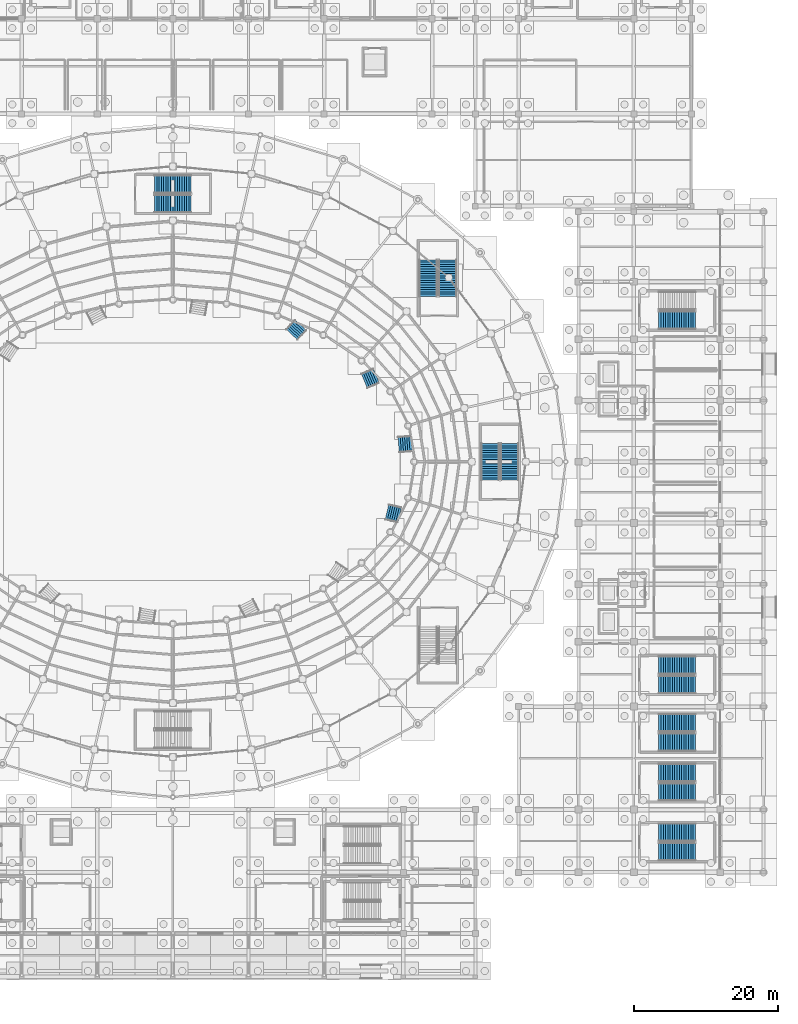
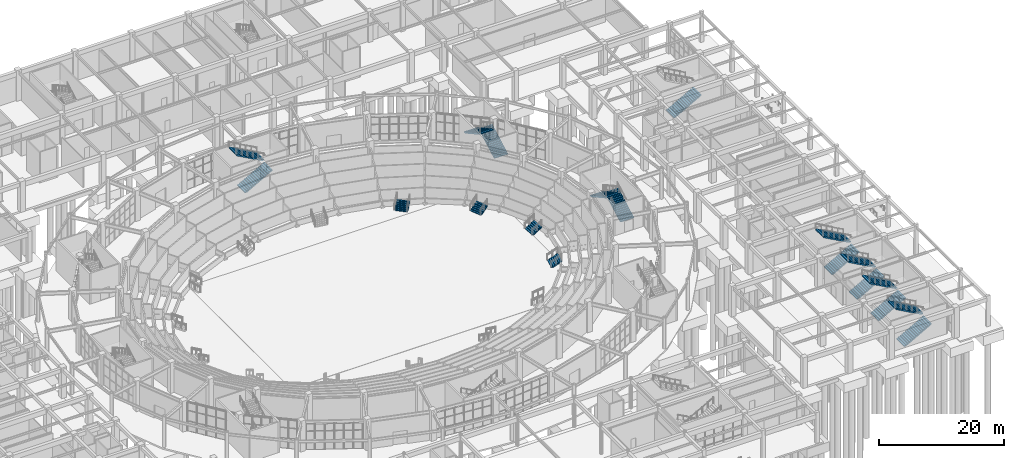
# One storey, part 98 of 121: 19 stair flights, 12 elements without a shape of their own.
"""IFC4 building model written with IfcOpenShell, lengths in metres."""

from ifc_helpers import new_model, si_unit, direction, frame, origin, place, context, subcontext, project, spatial, polyline, outline, extrude, material, type_object, element, aggregate, save


model = new_model("IFC4")

# Units and contexts
model_context = context("Model", 3, precision=1e-05, world=origin(), true_north=direction((0.0, 1.0)))
body_context = subcontext(model_context, "Body", "Model", "MODEL_VIEW")
ifc_project = project(units=[si_unit("LENGTHUNIT", "METRE"), si_unit("AREAUNIT", "SQUARE_METRE"), si_unit("VOLUMEUNIT", "CUBIC_METRE"), si_unit("PLANEANGLEUNIT", "RADIAN"), si_unit("MASSUNIT", "GRAM", prefix="KILO")], contexts=[model_context])

# Site, building, storey
site_placement = place(None, origin())
site = spatial("IfcSite", under=ifc_project, at=site_placement, CompositionType="ELEMENT")
building_placement = place(site_placement, origin())
building = spatial("IfcBuilding", under=site, at=building_placement, Name="Cuetzalor Civic Arena", CompositionType="ELEMENT")
storey_placement = place(building_placement, origin())
storey = spatial("IfcBuildingStorey", under=building, at=storey_placement, Name="L00", CompositionType="ELEMENT", Elevation=0.0)

# Stair, stair flights
ifc_material_1 = material(Name="Precast concrete C40/50", Category="concrete")
stair_type_1 = type_object("IfcStairType", Name="EnclosedExitStair_H600", PredefinedType="HALF_TURN_STAIR", material=ifc_material_1)
stair_1_placement = place(storey_placement, origin())
stair_1 = element("IfcStair", 1, at=stair_1_placement, inside=storey, type_object=stair_type_1, Name="L00 Enclosed Exit Stair ST-01", PredefinedType="HALF_TURN_STAIR")
ifc_material_2 = material(Name="Precast concrete C40/50", Category="concrete")
stair_flight_type_1 = type_object("IfcStairFlightType", Name="ExitStairFlight_H600", PredefinedType="STRAIGHT", material=ifc_material_2)
stair_flight_1_placement = place(storey_placement, frame((46.75, -2.550048828125, 0.0), z_axis=(0.0, 0.0, 1.0), x_axis=(0.0, 1.0, 0.0)))
stair_flight_1 = element("IfcStairFlight", 2, at=stair_flight_1_placement, type_object=stair_flight_type_1, Name="ST-01 flight 1", NumberOfRisers=17, NumberOfTreads=16, PredefinedType="STRAIGHT", RiserHeight=0.176470588, TreadLength=0.318, context=body_context, shape_type="SweptSolid", body=[
    extrude(outline(polyline([(0.0, 0.0), (0.0, 0.176513671875), (0.318115234375, 0.176513671875), (0.318115234375, 0.35302734375), (0.635986328125, 0.35302734375), (0.635986328125, 0.529296875), (0.9541015625, 0.529296875), (0.9541015625, 0.705810546875), (1.27197265625, 0.705810546875), (1.27197265625, 0.88232421875), (1.590087890625, 0.88232421875), (1.590087890625, 1.058837890625), (1.907958984375, 1.058837890625), (1.907958984375, 1.2353515625), (2.22607421875, 1.2353515625), (2.22607421875, 1.411865234375), (2.5439453125, 1.411865234375), (2.5439453125, 1.588134765625), (2.862060546875, 1.588134765625), (2.862060546875, 1.7646484375), (3.179931640625, 1.7646484375), (3.179931640625, 1.941162109375), (3.498046875, 1.941162109375), (3.498046875, 2.11767578125), (3.81591796875, 2.11767578125), (3.81591796875, 2.294189453125), (4.134033203125, 2.294189453125), (4.134033203125, 2.470703125), (4.451904296875, 2.470703125), (4.451904296875, 2.64697265625), (4.77001953125, 2.64697265625), (4.77001953125, 2.823486328125), (5.087890625, 2.823486328125), (5.087890625, 3.0), (5.087890625, 2.61767578125), (0.370849609375, 0.0), (0.0, 0.0)])), frame((0.0, 1.25, 0.0), z_axis=(0.0, -1.0, 0.0), x_axis=(1.0, 0.0, 0.0)), (0.0, 0.0, 1.0), 2.5),
])
stair_flight_2_placement = place(storey_placement, frame((44.050048828125, 2.5380859375, 3.0), z_axis=(0.0, 0.0, 1.0), x_axis=(0.0, -1.0, 0.0)))
stair_flight_2 = element("IfcStairFlight", 3, at=stair_flight_2_placement, type_object=stair_flight_type_1, Name="ST-01 flight 2", NumberOfRisers=17, NumberOfTreads=16, PredefinedType="STRAIGHT", RiserHeight=0.176470588, TreadLength=0.318, context=body_context, shape_type="SweptSolid", body=[
    extrude(outline(polyline([(0.0, 0.0), (0.0, 0.176513671875), (0.318115234375, 0.176513671875), (0.318115234375, 0.35302734375), (0.635986328125, 0.35302734375), (0.635986328125, 0.529296875), (0.9541015625, 0.529296875), (0.9541015625, 0.705810546875), (1.27197265625, 0.705810546875), (1.27197265625, 0.88232421875), (1.590087890625, 0.88232421875), (1.590087890625, 1.058837890625), (1.907958984375, 1.058837890625), (1.907958984375, 1.2353515625), (2.22607421875, 1.2353515625), (2.22607421875, 1.411865234375), (2.5439453125, 1.411865234375), (2.5439453125, 1.588134765625), (2.862060546875, 1.588134765625), (2.862060546875, 1.7646484375), (3.179931640625, 1.7646484375), (3.179931640625, 1.941162109375), (3.498046875, 1.941162109375), (3.498046875, 2.11767578125), (3.81591796875, 2.11767578125), (3.81591796875, 2.294189453125), (4.134033203125, 2.294189453125), (4.134033203125, 2.470703125), (4.451904296875, 2.470703125), (4.451904296875, 2.64697265625), (4.77001953125, 2.64697265625), (4.77001953125, 2.823486328125), (5.087890625, 2.823486328125), (5.087890625, 3.0), (5.087890625, 2.61767578125), (0.370849609375, 0.0), (0.0, 0.0)])), frame((0.0, 1.25, 0.0), z_axis=(0.0, -1.0, 0.0), x_axis=(1.0, 0.0, 0.0)), (0.0, 0.0, 1.0), 2.5),
])
aggregate(stair_1, [stair_flight_1, stair_flight_2])

stair_2_placement = place(storey_placement, origin())
stair_2 = element("IfcStair", 4, at=stair_2_placement, inside=storey, type_object=stair_type_1, Name="L00 Enclosed Exit Stair ST-02", PredefinedType="HALF_TURN_STAIR")
stair_flight_3_placement = place(storey_placement, frame((38.14990234375, 22.949951171875, 0.0), z_axis=(0.0, 0.0, 1.0), x_axis=(0.0, 1.0, 0.0)))
stair_flight_3 = element("IfcStairFlight", 5, at=stair_flight_3_placement, type_object=stair_flight_type_1, Name="ST-02 flight 1", NumberOfRisers=17, NumberOfTreads=16, PredefinedType="STRAIGHT", RiserHeight=0.176470588, TreadLength=0.318, context=body_context, shape_type="SweptSolid", body=[
    extrude(outline(polyline([(0.0, 0.0), (0.0, 0.176513671875), (0.318115234375, 0.176513671875), (0.318115234375, 0.35302734375), (0.635986328125, 0.35302734375), (0.635986328125, 0.529296875), (0.9541015625, 0.529296875), (0.9541015625, 0.705810546875), (1.27197265625, 0.705810546875), (1.27197265625, 0.88232421875), (1.590087890625, 0.88232421875), (1.590087890625, 1.058837890625), (1.907958984375, 1.058837890625), (1.907958984375, 1.2353515625), (2.22607421875, 1.2353515625), (2.22607421875, 1.411865234375), (2.5439453125, 1.411865234375), (2.5439453125, 1.588134765625), (2.862060546875, 1.588134765625), (2.862060546875, 1.7646484375), (3.179931640625, 1.7646484375), (3.179931640625, 1.941162109375), (3.498046875, 1.941162109375), (3.498046875, 2.11767578125), (3.81591796875, 2.11767578125), (3.81591796875, 2.294189453125), (4.134033203125, 2.294189453125), (4.134033203125, 2.470703125), (4.451904296875, 2.470703125), (4.451904296875, 2.64697265625), (4.77001953125, 2.64697265625), (4.77001953125, 2.823486328125), (5.087890625, 2.823486328125), (5.087890625, 3.0), (5.087890625, 2.61767578125), (0.370849609375, 0.0), (0.0, 0.0)])), frame((0.0, 1.25, 0.0), z_axis=(0.0, -1.0, 0.0), x_axis=(1.0, 0.0, 0.0)), (0.0, 0.0, 1.0), 2.5),
])
stair_flight_4_placement = place(storey_placement, frame((35.449951171875, 28.0380859375, 3.0), z_axis=(0.0, 0.0, 1.0), x_axis=(0.0, -1.0, 0.0)))
stair_flight_4 = element("IfcStairFlight", 6, at=stair_flight_4_placement, type_object=stair_flight_type_1, Name="ST-02 flight 2", NumberOfRisers=17, NumberOfTreads=16, PredefinedType="STRAIGHT", RiserHeight=0.176470588, TreadLength=0.318, context=body_context, shape_type="SweptSolid", body=[
    extrude(outline(polyline([(0.0, 0.0), (0.0, 0.176513671875), (0.318115234375, 0.176513671875), (0.318115234375, 0.35302734375), (0.635986328125, 0.35302734375), (0.635986328125, 0.529296875), (0.9541015625, 0.529296875), (0.9541015625, 0.705810546875), (1.27197265625, 0.705810546875), (1.27197265625, 0.88232421875), (1.590087890625, 0.88232421875), (1.590087890625, 1.058837890625), (1.907958984375, 1.058837890625), (1.907958984375, 1.2353515625), (2.22607421875, 1.2353515625), (2.22607421875, 1.411865234375), (2.5439453125, 1.411865234375), (2.5439453125, 1.588134765625), (2.862060546875, 1.588134765625), (2.862060546875, 1.7646484375), (3.179931640625, 1.7646484375), (3.179931640625, 1.941162109375), (3.498046875, 1.941162109375), (3.498046875, 2.11767578125), (3.81591796875, 2.11767578125), (3.81591796875, 2.294189453125), (4.134033203125, 2.294189453125), (4.134033203125, 2.470703125), (4.451904296875, 2.470703125), (4.451904296875, 2.64697265625), (4.77001953125, 2.64697265625), (4.77001953125, 2.823486328125), (5.087890625, 2.823486328125), (5.087890625, 3.0), (5.087890625, 2.61767578125), (0.370849609375, 0.0), (0.0, 0.0)])), frame((0.0, 1.25, 0.0), z_axis=(0.0, -1.0, 0.0), x_axis=(1.0, 0.0, 0.0)), (0.0, 0.0, 1.0), 2.5),
])
aggregate(stair_2, [stair_flight_3, stair_flight_4])

stair_3_placement = place(storey_placement, origin())
stair_3 = element("IfcStair", 7, at=stair_3_placement, inside=storey, type_object=stair_type_1, Name="L00 Enclosed Exit Stair ST-03", PredefinedType="HALF_TURN_STAIR")
stair_flight_5_placement = place(storey_placement, frame((-2.550048828125, 35.85009765625, 0.0), z_axis=(0.0, 0.0, 1.0), x_axis=(1.0, 0.0, 0.0)))
stair_flight_5 = element("IfcStairFlight", 8, at=stair_flight_5_placement, type_object=stair_flight_type_1, Name="ST-03 flight 1", NumberOfRisers=17, NumberOfTreads=16, PredefinedType="STRAIGHT", RiserHeight=0.176470588, TreadLength=0.318, context=body_context, shape_type="SweptSolid", body=[
    extrude(outline(polyline([(0.0, 0.0), (0.0, 0.176513671875), (0.318115234375, 0.176513671875), (0.318115234375, 0.35302734375), (0.635986328125, 0.35302734375), (0.635986328125, 0.529296875), (0.9541015625, 0.529296875), (0.9541015625, 0.705810546875), (1.27197265625, 0.705810546875), (1.27197265625, 0.88232421875), (1.590087890625, 0.88232421875), (1.590087890625, 1.058837890625), (1.907958984375, 1.058837890625), (1.907958984375, 1.2353515625), (2.22607421875, 1.2353515625), (2.22607421875, 1.411865234375), (2.5439453125, 1.411865234375), (2.5439453125, 1.588134765625), (2.862060546875, 1.588134765625), (2.862060546875, 1.7646484375), (3.179931640625, 1.7646484375), (3.179931640625, 1.941162109375), (3.498046875, 1.941162109375), (3.498046875, 2.11767578125), (3.81591796875, 2.11767578125), (3.81591796875, 2.294189453125), (4.134033203125, 2.294189453125), (4.134033203125, 2.470703125), (4.451904296875, 2.470703125), (4.451904296875, 2.64697265625), (4.77001953125, 2.64697265625), (4.77001953125, 2.823486328125), (5.087890625, 2.823486328125), (5.087890625, 3.0), (5.087890625, 2.61767578125), (0.370849609375, 0.0), (0.0, 0.0)])), frame((0.0, 1.25, 0.0), z_axis=(0.0, -1.0, 0.0), x_axis=(1.0, 0.0, 0.0)), (0.0, 0.0, 1.0), 2.5),
])
stair_flight_6_placement = place(storey_placement, frame((2.5380859375, 38.550048828125, 3.0), z_axis=(0.0, 0.0, 1.0), x_axis=(-1.0, 0.0, 0.0)))
stair_flight_6 = element("IfcStairFlight", 9, at=stair_flight_6_placement, type_object=stair_flight_type_1, Name="ST-03 flight 2", NumberOfRisers=17, NumberOfTreads=16, PredefinedType="STRAIGHT", RiserHeight=0.176470588, TreadLength=0.318, context=body_context, shape_type="SweptSolid", body=[
    extrude(outline(polyline([(0.0, 0.0), (0.0, 0.176513671875), (0.318115234375, 0.176513671875), (0.318115234375, 0.35302734375), (0.635986328125, 0.35302734375), (0.635986328125, 0.529296875), (0.9541015625, 0.529296875), (0.9541015625, 0.705810546875), (1.27197265625, 0.705810546875), (1.27197265625, 0.88232421875), (1.590087890625, 0.88232421875), (1.590087890625, 1.058837890625), (1.907958984375, 1.058837890625), (1.907958984375, 1.2353515625), (2.22607421875, 1.2353515625), (2.22607421875, 1.411865234375), (2.5439453125, 1.411865234375), (2.5439453125, 1.588134765625), (2.862060546875, 1.588134765625), (2.862060546875, 1.7646484375), (3.179931640625, 1.7646484375), (3.179931640625, 1.941162109375), (3.498046875, 1.941162109375), (3.498046875, 2.11767578125), (3.81591796875, 2.11767578125), (3.81591796875, 2.294189453125), (4.134033203125, 2.294189453125), (4.134033203125, 2.470703125), (4.451904296875, 2.470703125), (4.451904296875, 2.64697265625), (4.77001953125, 2.64697265625), (4.77001953125, 2.823486328125), (5.087890625, 2.823486328125), (5.087890625, 3.0), (5.087890625, 2.61767578125), (0.370849609375, 0.0), (0.0, 0.0)])), frame((0.0, 1.25, 0.0), z_axis=(0.0, -1.0, 0.0), x_axis=(1.0, 0.0, 0.0)), (0.0, 0.0, 1.0), 2.5),
])
aggregate(stair_3, [stair_flight_5, stair_flight_6])

stair_4_placement = place(storey_placement, origin())
stair_4 = element("IfcStair", 10, at=stair_4_placement, inside=storey, type_object=stair_type_1, Name="L00 Enclosed Exit Stair ST-18", PredefinedType="HALF_TURN_STAIR")
stair_flight_7_placement = place(storey_placement, frame((67.449951171875, -54.14990234375, 0.0), z_axis=(0.0, 0.0, 1.0), x_axis=(1.0, 0.0, 0.0)))
stair_flight_7 = element("IfcStairFlight", 11, at=stair_flight_7_placement, type_object=stair_flight_type_1, Name="ST-18 flight 1", NumberOfRisers=17, NumberOfTreads=16, PredefinedType="STRAIGHT", RiserHeight=0.176470588, TreadLength=0.318, context=body_context, shape_type="SweptSolid", body=[
    extrude(outline(polyline([(0.0, 0.0), (0.0, 0.176513671875), (0.318115234375, 0.176513671875), (0.318115234375, 0.35302734375), (0.635986328125, 0.35302734375), (0.635986328125, 0.529296875), (0.9541015625, 0.529296875), (0.9541015625, 0.705810546875), (1.27197265625, 0.705810546875), (1.27197265625, 0.88232421875), (1.590087890625, 0.88232421875), (1.590087890625, 1.058837890625), (1.907958984375, 1.058837890625), (1.907958984375, 1.2353515625), (2.22607421875, 1.2353515625), (2.22607421875, 1.411865234375), (2.5439453125, 1.411865234375), (2.5439453125, 1.588134765625), (2.862060546875, 1.588134765625), (2.862060546875, 1.7646484375), (3.179931640625, 1.7646484375), (3.179931640625, 1.941162109375), (3.498046875, 1.941162109375), (3.498046875, 2.11767578125), (3.81591796875, 2.11767578125), (3.81591796875, 2.294189453125), (4.134033203125, 2.294189453125), (4.134033203125, 2.470703125), (4.451904296875, 2.470703125), (4.451904296875, 2.64697265625), (4.77001953125, 2.64697265625), (4.77001953125, 2.823486328125), (5.087890625, 2.823486328125), (5.087890625, 3.0), (5.087890625, 2.61767578125), (0.370849609375, 0.0), (0.0, 0.0)])), frame((0.0, 1.25, 0.0), z_axis=(0.0, -1.0, 0.0), x_axis=(1.0, 0.0, 0.0)), (0.0, 0.0, 1.0), 2.5),
])
stair_flight_8_placement = place(storey_placement, frame((72.5380859375, -51.449951171875, 3.0), z_axis=(0.0, 0.0, 1.0), x_axis=(-1.0, 0.0, 0.0)))
stair_flight_8 = element("IfcStairFlight", 12, at=stair_flight_8_placement, type_object=stair_flight_type_1, Name="ST-18 flight 2", NumberOfRisers=17, NumberOfTreads=16, PredefinedType="STRAIGHT", RiserHeight=0.176470588, TreadLength=0.318, context=body_context, shape_type="SweptSolid", body=[
    extrude(outline(polyline([(0.0, 0.0), (0.0, 0.176513671875), (0.318115234375, 0.176513671875), (0.318115234375, 0.35302734375), (0.635986328125, 0.35302734375), (0.635986328125, 0.529296875), (0.9541015625, 0.529296875), (0.9541015625, 0.705810546875), (1.27197265625, 0.705810546875), (1.27197265625, 0.88232421875), (1.590087890625, 0.88232421875), (1.590087890625, 1.058837890625), (1.907958984375, 1.058837890625), (1.907958984375, 1.2353515625), (2.22607421875, 1.2353515625), (2.22607421875, 1.411865234375), (2.5439453125, 1.411865234375), (2.5439453125, 1.588134765625), (2.862060546875, 1.588134765625), (2.862060546875, 1.7646484375), (3.179931640625, 1.7646484375), (3.179931640625, 1.941162109375), (3.498046875, 1.941162109375), (3.498046875, 2.11767578125), (3.81591796875, 2.11767578125), (3.81591796875, 2.294189453125), (4.134033203125, 2.294189453125), (4.134033203125, 2.470703125), (4.451904296875, 2.470703125), (4.451904296875, 2.64697265625), (4.77001953125, 2.64697265625), (4.77001953125, 2.823486328125), (5.087890625, 2.823486328125), (5.087890625, 3.0), (5.087890625, 2.61767578125), (0.370849609375, 0.0), (0.0, 0.0)])), frame((0.0, 1.25, 0.0), z_axis=(0.0, -1.0, 0.0), x_axis=(1.0, 0.0, 0.0)), (0.0, 0.0, 1.0), 2.5),
])
aggregate(stair_4, [stair_flight_7, stair_flight_8])

stair_5_placement = place(storey_placement, origin())
stair_5 = element("IfcStair", 13, at=stair_5_placement, inside=storey, type_object=stair_type_1, Name="L00 Enclosed Exit Stair ST-19", PredefinedType="HALF_TURN_STAIR")
stair_flight_9_placement = place(storey_placement, frame((67.449951171875, -45.85009765625, 0.0), z_axis=(0.0, 0.0, 1.0), x_axis=(1.0, 0.0, 0.0)))
stair_flight_9 = element("IfcStairFlight", 14, at=stair_flight_9_placement, type_object=stair_flight_type_1, Name="ST-19 flight 1", NumberOfRisers=17, NumberOfTreads=16, PredefinedType="STRAIGHT", RiserHeight=0.176470588, TreadLength=0.318, context=body_context, shape_type="SweptSolid", body=[
    extrude(outline(polyline([(0.0, 0.0), (0.0, 0.176513671875), (0.318115234375, 0.176513671875), (0.318115234375, 0.35302734375), (0.635986328125, 0.35302734375), (0.635986328125, 0.529296875), (0.9541015625, 0.529296875), (0.9541015625, 0.705810546875), (1.27197265625, 0.705810546875), (1.27197265625, 0.88232421875), (1.590087890625, 0.88232421875), (1.590087890625, 1.058837890625), (1.907958984375, 1.058837890625), (1.907958984375, 1.2353515625), (2.22607421875, 1.2353515625), (2.22607421875, 1.411865234375), (2.5439453125, 1.411865234375), (2.5439453125, 1.588134765625), (2.862060546875, 1.588134765625), (2.862060546875, 1.7646484375), (3.179931640625, 1.7646484375), (3.179931640625, 1.941162109375), (3.498046875, 1.941162109375), (3.498046875, 2.11767578125), (3.81591796875, 2.11767578125), (3.81591796875, 2.294189453125), (4.134033203125, 2.294189453125), (4.134033203125, 2.470703125), (4.451904296875, 2.470703125), (4.451904296875, 2.64697265625), (4.77001953125, 2.64697265625), (4.77001953125, 2.823486328125), (5.087890625, 2.823486328125), (5.087890625, 3.0), (5.087890625, 2.61767578125), (0.370849609375, 0.0), (0.0, 0.0)])), frame((0.0, 1.25, 0.0), z_axis=(0.0, -1.0, 0.0), x_axis=(1.0, 0.0, 0.0)), (0.0, 0.0, 1.0), 2.5),
])
stair_flight_10_placement = place(storey_placement, frame((72.5380859375, -43.14990234375, 3.0), z_axis=(0.0, 0.0, 1.0), x_axis=(-1.0, 0.0, 0.0)))
stair_flight_10 = element("IfcStairFlight", 15, at=stair_flight_10_placement, type_object=stair_flight_type_1, Name="ST-19 flight 2", NumberOfRisers=17, NumberOfTreads=16, PredefinedType="STRAIGHT", RiserHeight=0.176470588, TreadLength=0.318, context=body_context, shape_type="SweptSolid", body=[
    extrude(outline(polyline([(0.0, 0.0), (0.0, 0.176513671875), (0.318115234375, 0.176513671875), (0.318115234375, 0.35302734375), (0.635986328125, 0.35302734375), (0.635986328125, 0.529296875), (0.9541015625, 0.529296875), (0.9541015625, 0.705810546875), (1.27197265625, 0.705810546875), (1.27197265625, 0.88232421875), (1.590087890625, 0.88232421875), (1.590087890625, 1.058837890625), (1.907958984375, 1.058837890625), (1.907958984375, 1.2353515625), (2.22607421875, 1.2353515625), (2.22607421875, 1.411865234375), (2.5439453125, 1.411865234375), (2.5439453125, 1.588134765625), (2.862060546875, 1.588134765625), (2.862060546875, 1.7646484375), (3.179931640625, 1.7646484375), (3.179931640625, 1.941162109375), (3.498046875, 1.941162109375), (3.498046875, 2.11767578125), (3.81591796875, 2.11767578125), (3.81591796875, 2.294189453125), (4.134033203125, 2.294189453125), (4.134033203125, 2.470703125), (4.451904296875, 2.470703125), (4.451904296875, 2.64697265625), (4.77001953125, 2.64697265625), (4.77001953125, 2.823486328125), (5.087890625, 2.823486328125), (5.087890625, 3.0), (5.087890625, 2.61767578125), (0.370849609375, 0.0), (0.0, 0.0)])), frame((0.0, 1.25, 0.0), z_axis=(0.0, -1.0, 0.0), x_axis=(1.0, 0.0, 0.0)), (0.0, 0.0, 1.0), 2.5),
])
aggregate(stair_5, [stair_flight_9, stair_flight_10])

stair_6_placement = place(storey_placement, origin())
stair_6 = element("IfcStair", 16, at=stair_6_placement, inside=storey, type_object=stair_type_1, Name="L00 Enclosed Exit Stair ST-20", PredefinedType="HALF_TURN_STAIR")
stair_flight_11_placement = place(storey_placement, frame((67.449951171875, -38.949951171875, 0.0), z_axis=(0.0, 0.0, 1.0), x_axis=(1.0, 0.0, 0.0)))
stair_flight_11 = element("IfcStairFlight", 17, at=stair_flight_11_placement, type_object=stair_flight_type_1, Name="ST-20 flight 1", NumberOfRisers=17, NumberOfTreads=16, PredefinedType="STRAIGHT", RiserHeight=0.176470588, TreadLength=0.318, context=body_context, shape_type="SweptSolid", body=[
    extrude(outline(polyline([(0.0, 0.0), (0.0, 0.176513671875), (0.318115234375, 0.176513671875), (0.318115234375, 0.35302734375), (0.635986328125, 0.35302734375), (0.635986328125, 0.529296875), (0.9541015625, 0.529296875), (0.9541015625, 0.705810546875), (1.27197265625, 0.705810546875), (1.27197265625, 0.88232421875), (1.590087890625, 0.88232421875), (1.590087890625, 1.058837890625), (1.907958984375, 1.058837890625), (1.907958984375, 1.2353515625), (2.22607421875, 1.2353515625), (2.22607421875, 1.411865234375), (2.5439453125, 1.411865234375), (2.5439453125, 1.588134765625), (2.862060546875, 1.588134765625), (2.862060546875, 1.7646484375), (3.179931640625, 1.7646484375), (3.179931640625, 1.941162109375), (3.498046875, 1.941162109375), (3.498046875, 2.11767578125), (3.81591796875, 2.11767578125), (3.81591796875, 2.294189453125), (4.134033203125, 2.294189453125), (4.134033203125, 2.470703125), (4.451904296875, 2.470703125), (4.451904296875, 2.64697265625), (4.77001953125, 2.64697265625), (4.77001953125, 2.823486328125), (5.087890625, 2.823486328125), (5.087890625, 3.0), (5.087890625, 2.61767578125), (0.370849609375, 0.0), (0.0, 0.0)])), frame((0.0, 1.25, 0.0), z_axis=(0.0, -1.0, 0.0), x_axis=(1.0, 0.0, 0.0)), (0.0, 0.0, 1.0), 2.5),
])
stair_flight_12_placement = place(storey_placement, frame((72.5380859375, -36.25, 3.0), z_axis=(0.0, 0.0, 1.0), x_axis=(-1.0, 0.0, 0.0)))
stair_flight_12 = element("IfcStairFlight", 18, at=stair_flight_12_placement, type_object=stair_flight_type_1, Name="ST-20 flight 2", NumberOfRisers=17, NumberOfTreads=16, PredefinedType="STRAIGHT", RiserHeight=0.176470588, TreadLength=0.318, context=body_context, shape_type="SweptSolid", body=[
    extrude(outline(polyline([(0.0, 0.0), (0.0, 0.176513671875), (0.318115234375, 0.176513671875), (0.318115234375, 0.35302734375), (0.635986328125, 0.35302734375), (0.635986328125, 0.529296875), (0.9541015625, 0.529296875), (0.9541015625, 0.705810546875), (1.27197265625, 0.705810546875), (1.27197265625, 0.88232421875), (1.590087890625, 0.88232421875), (1.590087890625, 1.058837890625), (1.907958984375, 1.058837890625), (1.907958984375, 1.2353515625), (2.22607421875, 1.2353515625), (2.22607421875, 1.411865234375), (2.5439453125, 1.411865234375), (2.5439453125, 1.588134765625), (2.862060546875, 1.588134765625), (2.862060546875, 1.7646484375), (3.179931640625, 1.7646484375), (3.179931640625, 1.941162109375), (3.498046875, 1.941162109375), (3.498046875, 2.11767578125), (3.81591796875, 2.11767578125), (3.81591796875, 2.294189453125), (4.134033203125, 2.294189453125), (4.134033203125, 2.470703125), (4.451904296875, 2.470703125), (4.451904296875, 2.64697265625), (4.77001953125, 2.64697265625), (4.77001953125, 2.823486328125), (5.087890625, 2.823486328125), (5.087890625, 3.0), (5.087890625, 2.61767578125), (0.370849609375, 0.0), (0.0, 0.0)])), frame((0.0, 1.25, 0.0), z_axis=(0.0, -1.0, 0.0), x_axis=(1.0, 0.0, 0.0)), (0.0, 0.0, 1.0), 2.5),
])
aggregate(stair_6, [stair_flight_11, stair_flight_12])

stair_7_placement = place(storey_placement, origin())
stair_7 = element("IfcStair", 19, at=stair_7_placement, inside=storey, type_object=stair_type_1, Name="L00 Enclosed Exit Stair ST-21", PredefinedType="HALF_TURN_STAIR")
stair_flight_13_placement = place(storey_placement, frame((67.449951171875, -30.949951171875, 0.0), z_axis=(0.0, 0.0, 1.0), x_axis=(1.0, 0.0, 0.0)))
stair_flight_13 = element("IfcStairFlight", 20, at=stair_flight_13_placement, type_object=stair_flight_type_1, Name="ST-21 flight 1", NumberOfRisers=17, NumberOfTreads=16, PredefinedType="STRAIGHT", RiserHeight=0.176470588, TreadLength=0.318, context=body_context, shape_type="SweptSolid", body=[
    extrude(outline(polyline([(0.0, 0.0), (0.0, 0.176513671875), (0.318115234375, 0.176513671875), (0.318115234375, 0.35302734375), (0.635986328125, 0.35302734375), (0.635986328125, 0.529296875), (0.9541015625, 0.529296875), (0.9541015625, 0.705810546875), (1.27197265625, 0.705810546875), (1.27197265625, 0.88232421875), (1.590087890625, 0.88232421875), (1.590087890625, 1.058837890625), (1.907958984375, 1.058837890625), (1.907958984375, 1.2353515625), (2.22607421875, 1.2353515625), (2.22607421875, 1.411865234375), (2.5439453125, 1.411865234375), (2.5439453125, 1.588134765625), (2.862060546875, 1.588134765625), (2.862060546875, 1.7646484375), (3.179931640625, 1.7646484375), (3.179931640625, 1.941162109375), (3.498046875, 1.941162109375), (3.498046875, 2.11767578125), (3.81591796875, 2.11767578125), (3.81591796875, 2.294189453125), (4.134033203125, 2.294189453125), (4.134033203125, 2.470703125), (4.451904296875, 2.470703125), (4.451904296875, 2.64697265625), (4.77001953125, 2.64697265625), (4.77001953125, 2.823486328125), (5.087890625, 2.823486328125), (5.087890625, 3.0), (5.087890625, 2.61767578125), (0.370849609375, 0.0), (0.0, 0.0)])), frame((0.0, 1.25, 0.0), z_axis=(0.0, -1.0, 0.0), x_axis=(1.0, 0.0, 0.0)), (0.0, 0.0, 1.0), 2.5),
])
stair_flight_14_placement = place(storey_placement, frame((72.5380859375, -28.25, 3.0), z_axis=(0.0, 0.0, 1.0), x_axis=(-1.0, 0.0, 0.0)))
stair_flight_14 = element("IfcStairFlight", 21, at=stair_flight_14_placement, type_object=stair_flight_type_1, Name="ST-21 flight 2", NumberOfRisers=17, NumberOfTreads=16, PredefinedType="STRAIGHT", RiserHeight=0.176470588, TreadLength=0.318, context=body_context, shape_type="SweptSolid", body=[
    extrude(outline(polyline([(0.0, 0.0), (0.0, 0.176513671875), (0.318115234375, 0.176513671875), (0.318115234375, 0.35302734375), (0.635986328125, 0.35302734375), (0.635986328125, 0.529296875), (0.9541015625, 0.529296875), (0.9541015625, 0.705810546875), (1.27197265625, 0.705810546875), (1.27197265625, 0.88232421875), (1.590087890625, 0.88232421875), (1.590087890625, 1.058837890625), (1.907958984375, 1.058837890625), (1.907958984375, 1.2353515625), (2.22607421875, 1.2353515625), (2.22607421875, 1.411865234375), (2.5439453125, 1.411865234375), (2.5439453125, 1.588134765625), (2.862060546875, 1.588134765625), (2.862060546875, 1.7646484375), (3.179931640625, 1.7646484375), (3.179931640625, 1.941162109375), (3.498046875, 1.941162109375), (3.498046875, 2.11767578125), (3.81591796875, 2.11767578125), (3.81591796875, 2.294189453125), (4.134033203125, 2.294189453125), (4.134033203125, 2.470703125), (4.451904296875, 2.470703125), (4.451904296875, 2.64697265625), (4.77001953125, 2.64697265625), (4.77001953125, 2.823486328125), (5.087890625, 2.823486328125), (5.087890625, 3.0), (5.087890625, 2.61767578125), (0.370849609375, 0.0), (0.0, 0.0)])), frame((0.0, 1.25, 0.0), z_axis=(0.0, -1.0, 0.0), x_axis=(1.0, 0.0, 0.0)), (0.0, 0.0, 1.0), 2.5),
])
aggregate(stair_7, [stair_flight_13, stair_flight_14])

# Stair, stair flight
stair_8_placement = place(storey_placement, origin())
stair_8 = element("IfcStair", 22, at=stair_8_placement, inside=storey, type_object=stair_type_1, Name="L00 Enclosed Exit Stair ST-22", PredefinedType="HALF_TURN_STAIR")
stair_flight_15_placement = place(storey_placement, frame((67.449951171875, 19.64990234375, 0.0), z_axis=(0.0, 0.0, 1.0), x_axis=(1.0, 0.0, 0.0)))
stair_flight_15 = element("IfcStairFlight", 23, at=stair_flight_15_placement, type_object=stair_flight_type_1, Name="ST-22 flight 1", NumberOfRisers=17, NumberOfTreads=16, PredefinedType="STRAIGHT", RiserHeight=0.176470588, TreadLength=0.318, context=body_context, shape_type="SweptSolid", body=[
    extrude(outline(polyline([(0.0, 0.0), (0.0, 0.176513671875), (0.318115234375, 0.176513671875), (0.318115234375, 0.35302734375), (0.635986328125, 0.35302734375), (0.635986328125, 0.529296875), (0.9541015625, 0.529296875), (0.9541015625, 0.705810546875), (1.27197265625, 0.705810546875), (1.27197265625, 0.88232421875), (1.590087890625, 0.88232421875), (1.590087890625, 1.058837890625), (1.907958984375, 1.058837890625), (1.907958984375, 1.2353515625), (2.22607421875, 1.2353515625), (2.22607421875, 1.411865234375), (2.5439453125, 1.411865234375), (2.5439453125, 1.588134765625), (2.862060546875, 1.588134765625), (2.862060546875, 1.7646484375), (3.179931640625, 1.7646484375), (3.179931640625, 1.941162109375), (3.498046875, 1.941162109375), (3.498046875, 2.11767578125), (3.81591796875, 2.11767578125), (3.81591796875, 2.294189453125), (4.134033203125, 2.294189453125), (4.134033203125, 2.470703125), (4.451904296875, 2.470703125), (4.451904296875, 2.64697265625), (4.77001953125, 2.64697265625), (4.77001953125, 2.823486328125), (5.087890625, 2.823486328125), (5.087890625, 3.0), (5.087890625, 2.61767578125), (0.370849609375, 0.0), (0.0, 0.0)])), frame((0.0, 1.25, 0.0), z_axis=(0.0, -1.0, 0.0), x_axis=(1.0, 0.0, 0.0)), (0.0, 0.0, 1.0), 2.5),
])
aggregate(stair_8, [stair_flight_15])

ifc_material_3 = material(Name="Precast concrete C40/50", Category="concrete")
stair_type_2 = type_object("IfcStairType", Name="BowlVomitoryStair_W220", PredefinedType="STRAIGHT_RUN_STAIR", material=ifc_material_3)
stair_9_placement = place(storey_placement, origin())
stair_9 = element("IfcStair", 24, at=stair_9_placement, inside=storey, type_object=stair_type_2, Name="Lower Bowl Radial Vomitory Stair VST-01", PredefinedType="STRAIGHT_RUN_STAIR")
ifc_material_4 = material(Name="Precast concrete C40/50", Category="concrete")
stair_flight_type_2 = type_object("IfcStairFlightType", Name="VomitoryStairFlight_220", PredefinedType="STRAIGHT", material=ifc_material_4)
stair_flight_16_placement = place(storey_placement, frame((31.344970703125, 2.3720703125, 0.0), z_axis=(0.0, 0.0, 1.0), x_axis=(0.997148372934, 0.075466034441, 0.0)))
stair_flight_16 = element("IfcStairFlight", 25, at=stair_flight_16_placement, type_object=stair_flight_type_2, Name="VST-01 flight 1", NumberOfRisers=7, NumberOfTreads=6, PredefinedType="STRAIGHT", RiserHeight=0.171429, TreadLength=0.3, context=body_context, shape_type="SweptSolid", body=[
    extrude(outline(polyline([(0.0, 0.0), (0.0, 0.17138671875), (0.300048828125, 0.17138671875), (0.300048828125, 0.3427734375), (0.60009765625, 0.3427734375), (0.60009765625, 0.514404296875), (0.89990234375, 0.514404296875), (0.89990234375, 0.685791015625), (1.199951171875, 0.685791015625), (1.199951171875, 0.857177734375), (1.5, 0.857177734375), (1.5, 1.028564453125), (1.800048828125, 1.028564453125), (1.800048828125, 1.199951171875), (1.800048828125, 0.844482421875), (0.322265625, 0.0), (0.0, 0.0)])), frame((0.0, 1.10009765625, 0.0), z_axis=(0.0, -1.0, 0.0), x_axis=(1.0, 0.0, 0.0)), (0.0, 0.0, 1.0), 2.199951171875),
])
aggregate(stair_9, [stair_flight_16])

stair_10_placement = place(storey_placement, origin())
stair_10 = element("IfcStair", 26, at=stair_10_placement, inside=storey, type_object=stair_type_2, Name="Lower Bowl Radial Vomitory Stair VST-02", PredefinedType="STRAIGHT_RUN_STAIR")
stair_flight_17_placement = place(storey_placement, frame((26.583984375, 11.218994140625, 0.0), z_axis=(0.0, 0.0, 1.0), x_axis=(0.921314393302, 0.388818452102, 0.0)))
stair_flight_17 = element("IfcStairFlight", 27, at=stair_flight_17_placement, type_object=stair_flight_type_2, Name="VST-02 flight 1", NumberOfRisers=7, NumberOfTreads=6, PredefinedType="STRAIGHT", RiserHeight=0.171429, TreadLength=0.3, context=body_context, shape_type="SweptSolid", body=[
    extrude(outline(polyline([(0.0, 0.0), (0.0, 0.17138671875), (0.300048828125, 0.17138671875), (0.300048828125, 0.3427734375), (0.60009765625, 0.3427734375), (0.60009765625, 0.514404296875), (0.89990234375, 0.514404296875), (0.89990234375, 0.685791015625), (1.199951171875, 0.685791015625), (1.199951171875, 0.857177734375), (1.5, 0.857177734375), (1.5, 1.028564453125), (1.800048828125, 1.028564453125), (1.800048828125, 1.199951171875), (1.800048828125, 0.844482421875), (0.322265625, 0.0), (0.0, 0.0)])), frame((0.0, 1.10009765625, 0.0), z_axis=(0.0, -1.0, 0.0), x_axis=(1.0, 0.0, 0.0)), (0.0, 0.0, 1.0), 2.199951171875),
])
aggregate(stair_10, [stair_flight_17])

stair_11_placement = place(storey_placement, origin())
stair_11 = element("IfcStair", 28, at=stair_11_placement, inside=storey, type_object=stair_type_2, Name="Lower Bowl Radial Vomitory Stair VST-03", PredefinedType="STRAIGHT_RUN_STAIR")
stair_flight_18_placement = place(storey_placement, frame((16.522216796875, 17.660888671875, 0.0), z_axis=(0.0, 0.0, 1.0), x_axis=(0.683171817134, 0.730257672519, 0.0)))
stair_flight_18 = element("IfcStairFlight", 29, at=stair_flight_18_placement, type_object=stair_flight_type_2, Name="VST-03 flight 1", NumberOfRisers=7, NumberOfTreads=6, PredefinedType="STRAIGHT", RiserHeight=0.171429, TreadLength=0.3, context=body_context, shape_type="SweptSolid", body=[
    extrude(outline(polyline([(0.0, 0.0), (0.0, 0.17138671875), (0.300048828125, 0.17138671875), (0.300048828125, 0.3427734375), (0.60009765625, 0.3427734375), (0.60009765625, 0.514404296875), (0.89990234375, 0.514404296875), (0.89990234375, 0.685791015625), (1.199951171875, 0.685791015625), (1.199951171875, 0.857177734375), (1.5, 0.857177734375), (1.5, 1.028564453125), (1.800048828125, 1.028564453125), (1.800048828125, 1.199951171875), (1.800048828125, 0.844482421875), (0.322265625, 0.0), (0.0, 0.0)])), frame((0.0, 1.10009765625, 0.0), z_axis=(0.0, -1.0, 0.0), x_axis=(1.0, 0.0, 0.0)), (0.0, 0.0, 1.0), 2.199951171875),
])
aggregate(stair_11, [stair_flight_18])

stair_12_placement = place(storey_placement, origin())
stair_12 = element("IfcStair", 30, at=stair_12_placement, inside=storey, type_object=stair_type_2, Name="Lower Bowl Radial Vomitory Stair VST-14", PredefinedType="STRAIGHT_RUN_STAIR")
stair_flight_19_placement = place(storey_placement, frame((29.727294921875, -6.986572265625, 0.0), z_axis=(0.0, 0.0, 1.0), x_axis=(0.973479173335, -0.228775652294, 0.0)))
stair_flight_19 = element("IfcStairFlight", 31, at=stair_flight_19_placement, type_object=stair_flight_type_2, Name="VST-14 flight 1", NumberOfRisers=7, NumberOfTreads=6, PredefinedType="STRAIGHT", RiserHeight=0.171429, TreadLength=0.3, context=body_context, shape_type="SweptSolid", body=[
    extrude(outline(polyline([(0.0, 0.0), (0.0, 0.17138671875), (0.300048828125, 0.17138671875), (0.300048828125, 0.3427734375), (0.60009765625, 0.3427734375), (0.60009765625, 0.514404296875), (0.89990234375, 0.514404296875), (0.89990234375, 0.685791015625), (1.199951171875, 0.685791015625), (1.199951171875, 0.857177734375), (1.5, 0.857177734375), (1.5, 1.028564453125), (1.800048828125, 1.028564453125), (1.800048828125, 1.199951171875), (1.800048828125, 0.844482421875), (0.322265625, 0.0), (0.0, 0.0)])), frame((0.0, 1.10009765625, 0.0), z_axis=(0.0, -1.0, 0.0), x_axis=(1.0, 0.0, 0.0)), (0.0, 0.0, 1.0), 2.199951171875),
])
aggregate(stair_12, [stair_flight_19])

save(model, "model.ifc")
